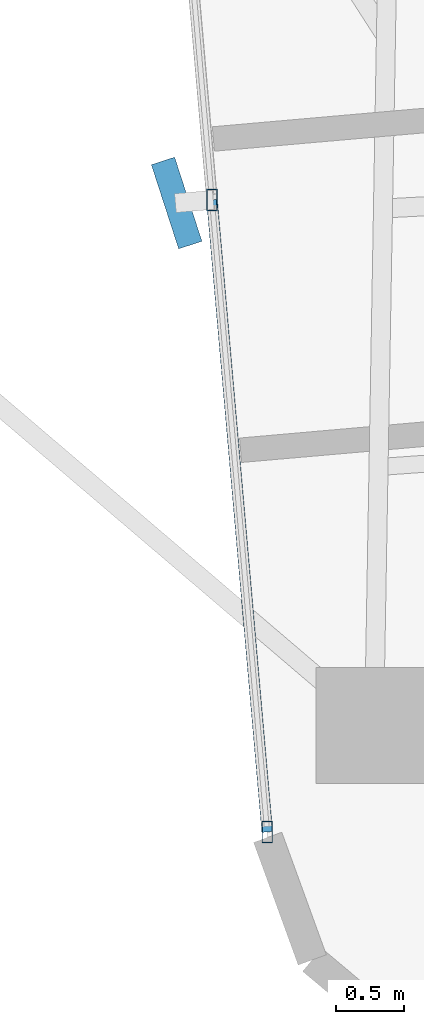
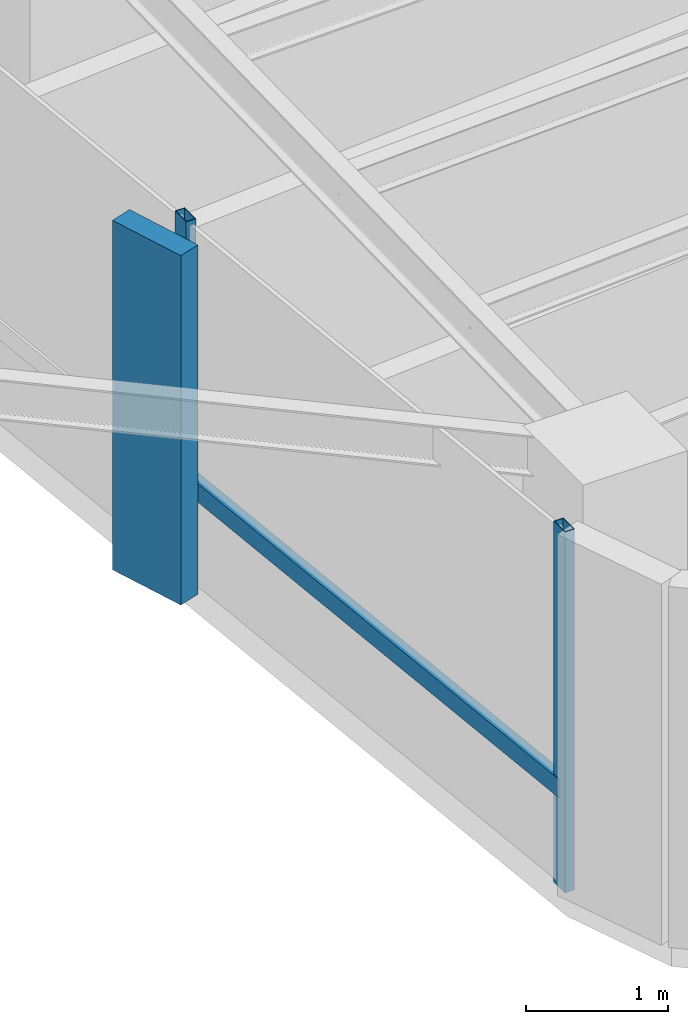
# One storey, part 2 of 24: 4 members, 1 element without a shape of its own.
"""IFC4 building model written with IfcOpenShell, lengths in metres."""

from ifc_helpers import new_model, si_unit, direction, frame, origin, origin_2d, place, context, subcontext, project, spatial, rectangle, hollow_rectangle, extrude, source, transform, mapped, material, material_profile, profile_set, type_object, element, aggregate, save


model = new_model("IFC4")

# Units and contexts
model_context = context("Model", 3, precision=1e-05, world=origin(), true_north=direction((0.0, 1.0)))
body_context = subcontext(model_context, "Body", "Model", "MODEL_VIEW")
ifc_project = project(units=[si_unit("LENGTHUNIT", "METRE"), si_unit("AREAUNIT", "SQUARE_METRE"), si_unit("VOLUMEUNIT", "CUBIC_METRE"), si_unit("PLANEANGLEUNIT", "RADIAN"), si_unit("MASSUNIT", "GRAM", prefix="KILO")], contexts=[model_context])

# Site, building, storey
site_placement = place(None, origin())
site = spatial("IfcSite", under=ifc_project, at=site_placement, CompositionType="ELEMENT")
building_placement = place(site_placement, origin())
building = spatial("IfcBuilding", under=site, at=building_placement, Name="Sahyath Konkavel Grand Hotel", CompositionType="ELEMENT")
storey_placement = place(building_placement, frame((0.0, 0.0, 191.949951171875)))
storey = spatial("IfcBuildingStorey", under=building, at=storey_placement, Name="L53", CompositionType="ELEMENT", Elevation=191.949951171875)

# Curtain wall, members
ifc_material_1 = material(Name="Anodised Bronze Aluminium & Low-E Glazing", Category="aluminium")
curtain_wall_type = type_object("IfcCurtainWallType", Name="CW-ZONE3", PredefinedType="NOTDEFINED", material=ifc_material_1)
curtain_wall_placement = place(storey_placement, origin())
curtain_wall = element("IfcCurtainWall", 1, at=curtain_wall_placement, inside=storey, type_object=curtain_wall_type, Name="L53 Unitised Curtain Wall F24", PredefinedType="NOTDEFINED")
ifc_material_2 = material(Name="Warm Buff Sandstone Cladding on Concrete C50/60", Category="masonry")
ifc_material_profile_1 = material_profile(ifc_material_2, rectangle(XDim=0.179931640625, YDim=0.64990234375, at=origin_2d()), Name="FIN 180x650")
ifc_profile_set_1 = profile_set([ifc_material_profile_1], Name="Warm Buff Sandstone Cladding on Concrete C50/60")
member_type_1 = type_object("IfcMemberType", Name="FIN-SANDSTONE-650", PredefinedType="MULLION", material=ifc_profile_set_1)
shared_shape_1 = source(origin(), body_context, "Body", "SweptSolid", [
    extrude(rectangle(XDim=0.179931640625, YDim=0.64990234375, at=origin_2d()), origin(), (0.0, 0.0, 1.0), 3.010009765625),
])
member_1_placement = place(storey_placement, frame((-5.386474609375, -14.273681640625, 0.050048828125), z_axis=(0.0, 0.0, 1.0), x_axis=(0.951110435449, 0.308850998993, 0.0)))
member_1 = element("IfcMember", 2, at=member_1_placement, type_object=member_type_1, Name="L53 Sandstone Vertical Solar Fin FIN F24-1", PredefinedType="MULLION", context=body_context, shape_type="MappedRepresentation", body=[
    mapped(shared_shape_1, transform((0.0, 0.0, 0.0), scale=1.0)),
])
ifc_material_3 = material(Name="Anodised Bronze Aluminium", Category="aluminium")
ifc_material_profile_2 = material_profile(ifc_material_3, hollow_rectangle(XDim=0.080078125, YDim=0.159912109375, WallThickness=0.006103515625, at=origin_2d()), Name="RHS 160x80x6")
ifc_profile_set_2 = profile_set([ifc_material_profile_2], Name="Anodised Bronze Aluminium")
member_type_2 = type_object("IfcMemberType", Name="CW-MUL-160", PredefinedType="MULLION", material=ifc_profile_set_2)
shared_shape_2 = source(origin(), body_context, "Body", "SweptSolid", [
    extrude(hollow_rectangle(XDim=0.080078125, YDim=0.159912109375, WallThickness=0.006103515625, at=origin_2d()), origin(), (0.0, 0.0, 1.0), 3.110107421875),
])
member_2_placement = place(storey_placement, frame((-5.12744140625, -14.251220703125, 0.0), z_axis=(0.0, 0.0, 1.0), x_axis=(1.0, 0.0, 0.0)))
member_2 = element("IfcMember", 3, at=member_2_placement, type_object=member_type_2, Name="L53 Curtain Wall Mullion F24-1", PredefinedType="MULLION", context=body_context, shape_type="MappedRepresentation", body=[
    mapped(shared_shape_2, transform((0.0, 0.0, 0.0), scale=1.0)),
])
member_3_placement = place(storey_placement, frame((-4.72119140625, -18.893310546875, 0.0), z_axis=(0.0, 0.0, 1.0), x_axis=(1.0, 0.0, 0.0)))
member_3 = element("IfcMember", 4, at=member_3_placement, type_object=member_type_2, Name="L53 Curtain Wall Mullion F24-2", PredefinedType="MULLION", context=body_context, shape_type="MappedRepresentation", body=[
    mapped(shared_shape_2, transform((0.0, 0.0, 0.0), scale=1.0)),
])
ifc_material_profile_3 = material_profile(ifc_material_3, hollow_rectangle(XDim=0.080078125, YDim=0.159912109375, WallThickness=0.006103515625, at=origin_2d()), Name="RHS 160x80x6")
ifc_profile_set_3 = profile_set([ifc_material_profile_3], Name="Anodised Bronze Aluminium")
member_type_3 = type_object("IfcMemberType", Name="CW-TRN-160", PredefinedType="USERDEFINED", material=ifc_profile_set_3)
shared_shape_3 = source(origin(), body_context, "Body", "SweptSolid", [
    extrude(hollow_rectangle(XDim=0.080078125, YDim=0.159912109375, WallThickness=0.006103515625, at=origin_2d()), origin(), (0.0, 0.0, 1.0), 4.659912109375),
])
member_4_placement = place(storey_placement, frame((-5.12744140625, -14.251220703125, 0.85009765625), z_axis=(0.087181248758, -0.996192466276, 0.0), x_axis=(0.996192466276, 0.087181248758, 0.0)))
member_4 = element("IfcMember", 5, at=member_4_placement, type_object=member_type_3, Name="L53 Curtain Wall Transom F24-1-spandrel", ObjectType="TRANSOM", PredefinedType="USERDEFINED", context=body_context, shape_type="MappedRepresentation", body=[
    mapped(shared_shape_3, transform((0.0, 0.0, 0.0), scale=1.0)),
])
aggregate(curtain_wall, [member_2, member_1, member_3, member_4])

save(model, "model.ifc")
